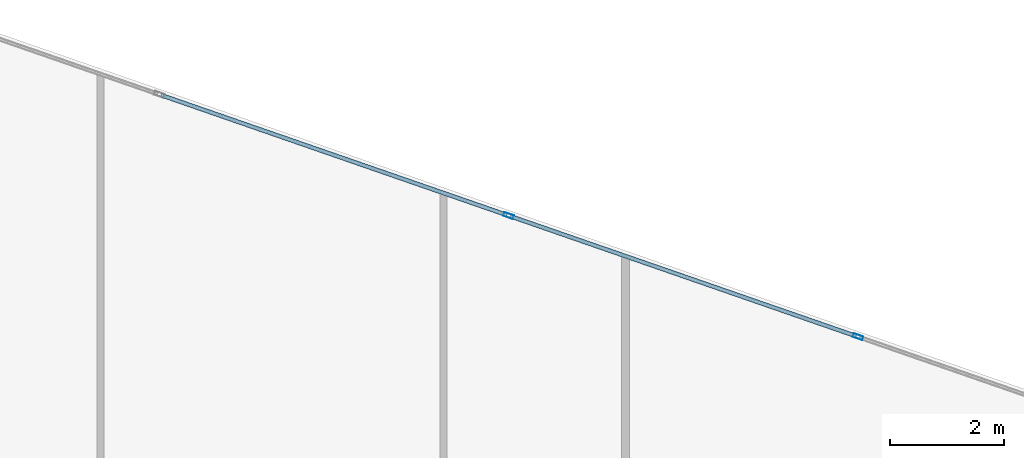
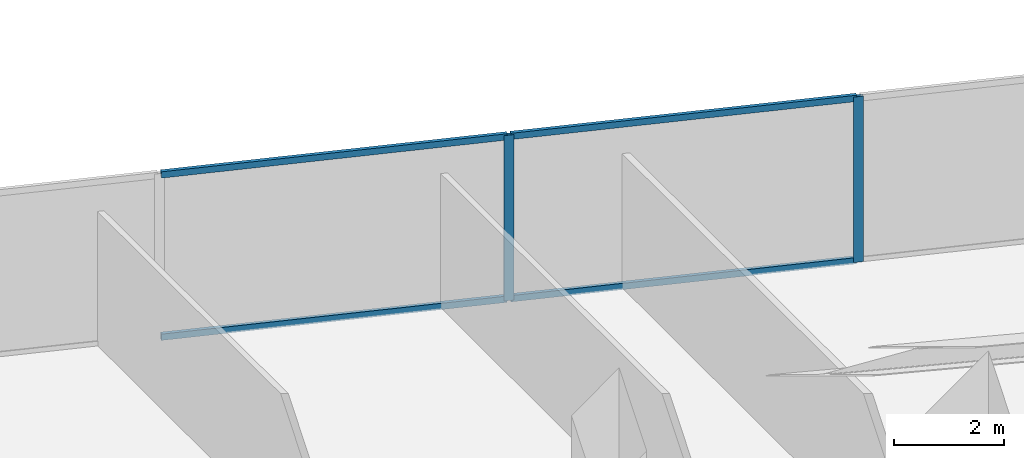
# One storey, part 21 of 27: 6 members, 1 element without a shape of its own.
"""IFC4 building model written with IfcOpenShell, lengths in metres."""

from ifc_helpers import new_model, si_unit, direction, frame, origin, origin_2d, place, context, subcontext, project, spatial, hollow_rectangle, extrude, source, transform, mapped, material, material_profile, profile_set, type_object, type_shapes, element, aggregate, save


model = new_model("IFC4")

# Units and contexts
model_context = context("Model", 3, precision=1e-05, world=origin(), true_north=direction((0.0, 1.0)))
body_context = subcontext(model_context, "Body", "Model", "MODEL_VIEW")
ifc_project = project(units=[si_unit("LENGTHUNIT", "METRE"), si_unit("AREAUNIT", "SQUARE_METRE"), si_unit("VOLUMEUNIT", "CUBIC_METRE"), si_unit("PLANEANGLEUNIT", "RADIAN"), si_unit("MASSUNIT", "GRAM", prefix="KILO")], contexts=[model_context])

# Site, building, storey
site_placement = place(None, origin())
site = spatial("IfcSite", under=ifc_project, at=site_placement, CompositionType="ELEMENT")
building_placement = place(site_placement, origin())
building = spatial("IfcBuilding", under=site, at=building_placement, Name="Krantzveldt Concourse Tower", CompositionType="ELEMENT")
storey_placement = place(building_placement, frame((0.0, 0.0, 121.64990234375)))
storey = spatial("IfcBuildingStorey", under=building, at=storey_placement, Name="L29", CompositionType="ELEMENT", Elevation=121.64990234375)

# Curtain wall, members
ifc_material = material(Name="Anodised aluminium 6063-T6", Category="aluminium")
curtain_wall_type = type_object("IfcCurtainWallType", Name="CW2", PredefinedType="USERDEFINED", material=ifc_material)
curtain_wall_placement = place(storey_placement, origin())
curtain_wall = element("IfcCurtainWall", 1, at=curtain_wall_placement, inside=storey, type_object=curtain_wall_type, Name="CW-L29-F10", ObjectType="UNITISED CURTAIN WALL", PredefinedType="USERDEFINED")
ifc_material_profile_1 = material_profile(ifc_material, hollow_rectangle(XDim=0.070068359375, YDim=0.179931640625, WallThickness=0.0048828125, at=origin_2d()), Name="Anodised aluminium 6063-T6", Category="aluminium")
ifc_profile_set_1 = profile_set([ifc_material_profile_1], Name="Anodised aluminium 6063-T6 - ALU-MULL 180x70x5")
member_type_1 = type_object("IfcMemberType", Name="CW-MUL-180", PredefinedType="MULLION", material=ifc_profile_set_1)
shared_shape_1 = source(origin(), body_context, "Body", "SweptSolid", [
    extrude(hollow_rectangle(XDim=0.070068359375, YDim=0.179931640625, WallThickness=0.0048828125, at=origin_2d()), origin(), (0.0, 0.0, 1.0), 3.670166015625),
])
type_shapes(member_type_1, [shared_shape_1])
member_1_placement = place(storey_placement, frame((49.746826171875, 46.604736328125, 0.0), z_axis=(0.0, 0.0, 1.0), x_axis=(-0.32763019404, -0.944806041446, 0.0)))
member_1 = element("IfcMember", 2, at=member_1_placement, type_object=member_type_1, Name="CW-Z12 mullion 3", PredefinedType="MULLION", context=body_context, shape_type="MappedRepresentation", body=[
    mapped(shared_shape_1, transform((0.0, 0.0, 0.0), x_axis=(1.0, 0.0, 0.0), y_axis=(0.0, 1.0, 0.0), z_axis=(0.0, 0.0, 1.0), scale=1.0)),
])
member_2_placement = place(storey_placement, frame((43.636962890625, 48.723388671875, 0.0), z_axis=(0.0, 0.0, 1.0), x_axis=(-0.32763019404, -0.944806041446, 0.0)))
member_2 = element("IfcMember", 3, at=member_2_placement, type_object=member_type_1, Name="CW-Z12 mullion 4", PredefinedType="MULLION", context=body_context, shape_type="MappedRepresentation", body=[
    mapped(shared_shape_1, transform((0.0, 0.0, 0.0), x_axis=(1.0, 0.0, 0.0), y_axis=(0.0, 1.0, 0.0), z_axis=(0.0, 0.0, 1.0), scale=1.0)),
])
ifc_material_profile_2 = material_profile(ifc_material, hollow_rectangle(XDim=0.070068359375, YDim=0.139892578125, WallThickness=0.0048828125, at=origin_2d()), Name="Anodised aluminium 6063-T6", Category="aluminium")
ifc_profile_set_2 = profile_set([ifc_material_profile_2], Name="Anodised aluminium 6063-T6 - ALU-TRAN 140x70x5")
member_type_2 = type_object("IfcMemberType", Name="CW-TRN-150", PredefinedType="USERDEFINED", material=ifc_profile_set_2)
shared_shape_2 = source(origin(), body_context, "Body", "SweptSolid", [
    extrude(hollow_rectangle(XDim=0.070068359375, YDim=0.139892578125, WallThickness=0.0048828125, at=origin_2d()), origin(), (0.0, 0.0, 1.0), 6.396728515625),
])
member_3_placement = place(storey_placement, frame((43.60400390625, 48.73486328125, 0.03515625), z_axis=(-0.944809422525, 0.327620443666, 0.0), x_axis=(-0.327620443666, -0.944809422525, 0.0)))
member_3 = element("IfcMember", 4, at=member_3_placement, type_object=member_type_2, Name="CW-Z12 transom 4.1", ObjectType="TRANSOM", PredefinedType="USERDEFINED", context=body_context, shape_type="MappedRepresentation", body=[
    mapped(shared_shape_2, transform((0.0, 0.0, 0.0), x_axis=(1.0, 0.0, 0.0), y_axis=(0.0, 1.0, 0.0), z_axis=(0.0, 0.0, 1.0), scale=1.0)),
])
member_4_placement = place(storey_placement, frame((43.60400390625, 48.73486328125, 3.635009765625), z_axis=(-0.944809422525, 0.327620443666, 0.0), x_axis=(-0.327620443666, -0.944809422525, 0.0)))
member_4 = element("IfcMember", 5, at=member_4_placement, type_object=member_type_2, Name="CW-Z12 transom 4.2", ObjectType="TRANSOM", PredefinedType="USERDEFINED", context=body_context, shape_type="MappedRepresentation", body=[
    mapped(shared_shape_2, transform((0.0, 0.0, 0.0), x_axis=(1.0, 0.0, 0.0), y_axis=(0.0, 1.0, 0.0), z_axis=(0.0, 0.0, 1.0), scale=1.0)),
])
shared_shape_3 = source(origin(), body_context, "Body", "SweptSolid", [
    extrude(hollow_rectangle(XDim=0.070068359375, YDim=0.139892578125, WallThickness=0.0048828125, at=origin_2d()), origin(), (0.0, 0.0, 1.0), 6.396484375),
])
type_shapes(member_type_2, [shared_shape_2, shared_shape_3])
member_5_placement = place(storey_placement, frame((49.713623046875, 46.6162109375, 0.03515625), z_axis=(-0.944805325706, 0.327632258054, 0.0), x_axis=(-0.327632258054, -0.944805325706, 0.0)))
member_5 = element("IfcMember", 6, at=member_5_placement, type_object=member_type_2, Name="CW-Z12 transom 3.1", ObjectType="TRANSOM", PredefinedType="USERDEFINED", context=body_context, shape_type="MappedRepresentation", body=[
    mapped(shared_shape_3, transform((0.0, 0.0, 0.0), x_axis=(1.0, 0.0, 0.0), y_axis=(0.0, 1.0, 0.0), z_axis=(0.0, 0.0, 1.0), scale=1.0)),
])
member_6_placement = place(storey_placement, frame((49.713623046875, 46.6162109375, 3.635009765625), z_axis=(-0.944805325706, 0.327632258054, 0.0), x_axis=(-0.327632258054, -0.944805325706, 0.0)))
member_6 = element("IfcMember", 7, at=member_6_placement, type_object=member_type_2, Name="CW-Z12 transom 3.2", ObjectType="TRANSOM", PredefinedType="USERDEFINED", context=body_context, shape_type="MappedRepresentation", body=[
    mapped(shared_shape_3, transform((0.0, 0.0, 0.0), x_axis=(1.0, 0.0, 0.0), y_axis=(0.0, 1.0, 0.0), z_axis=(0.0, 0.0, 1.0), scale=1.0)),
])
aggregate(curtain_wall, [member_1, member_2, member_5, member_6, member_3, member_4])

save(model, "model.ifc")
